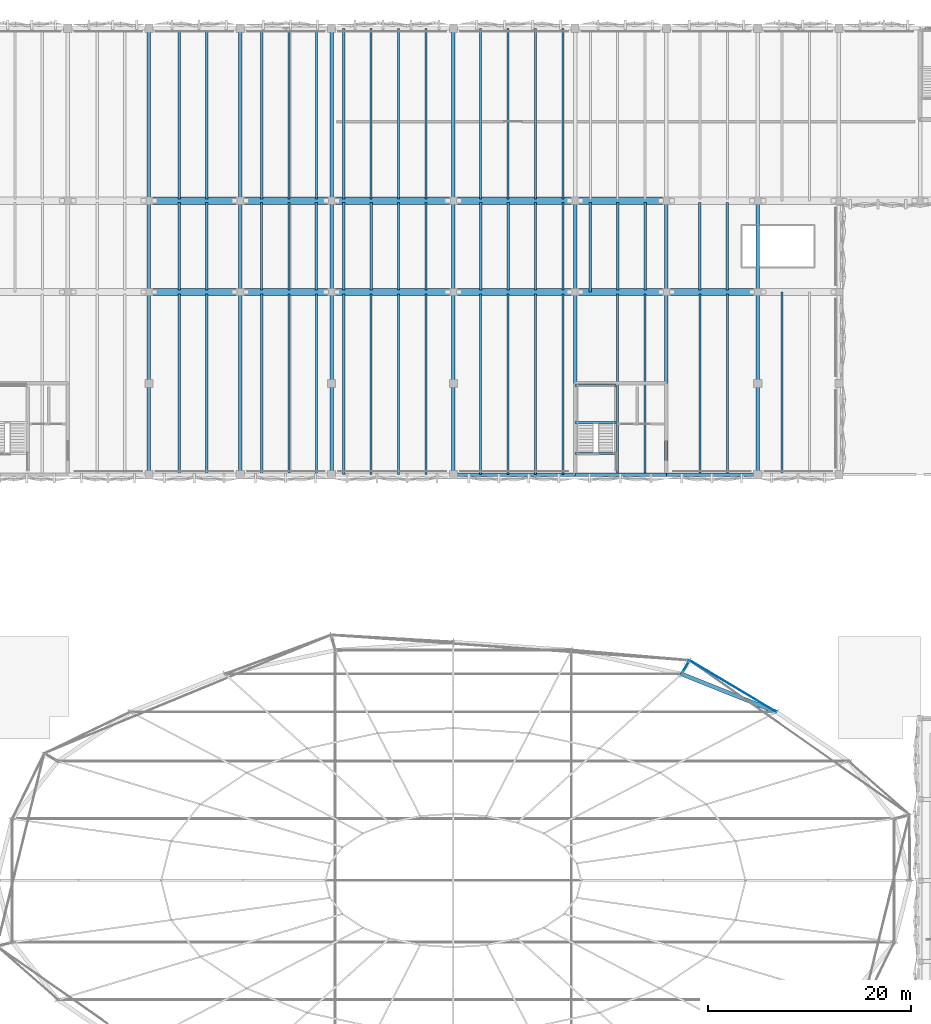
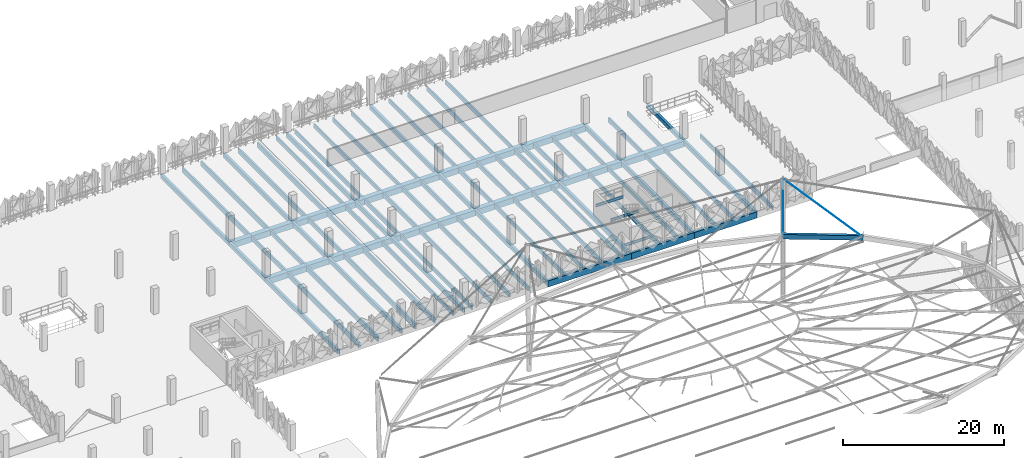
# One storey, part 17 of 96: 85 beams, 2 members.
"""IFC4 building model written with IfcOpenShell, lengths in metres."""

from ifc_helpers import new_model, si_unit, derived_unit, direction, frame, origin, origin_2d, place, context, subcontext, project, spatial, rectangle, hollow_rectangle, circle, i_section, extrude, material, material_profile, profile_set, type_object, element, save


model = new_model("IFC4")

# Units and contexts
model_context = context("Model", 3, precision=1e-05, world=origin(), true_north=direction((0.0, 1.0)))
body_context = subcontext(model_context, "Body", "Model", "MODEL_VIEW")
ifc_project = project(units=[si_unit("LENGTHUNIT", "METRE"), si_unit("AREAUNIT", "SQUARE_METRE"), si_unit("VOLUMEUNIT", "CUBIC_METRE"), si_unit("PLANEANGLEUNIT", "RADIAN"), si_unit("MASSUNIT", "GRAM", prefix="KILO"), si_unit("THERMODYNAMICTEMPERATUREUNIT", "KELVIN"), derived_unit("THERMALTRANSMITTANCEUNIT", [(si_unit("POWERUNIT", "WATT"), 1), (si_unit("AREAUNIT", "SQUARE_METRE"), -1), (si_unit("THERMODYNAMICTEMPERATUREUNIT", "KELVIN"), -1)])], contexts=[model_context])

# Site, building, storey
site_placement = place(None, origin())
site = spatial("IfcSite", under=ifc_project, at=site_placement, CompositionType="ELEMENT")
building_placement = place(site_placement, origin())
building = spatial("IfcBuilding", under=site, at=building_placement, Name="Haiyu Intermodal Mobility Hub", CompositionType="ELEMENT")
storey_placement = place(building_placement, frame((0.0, 0.0, 9.5)))
storey = spatial("IfcBuildingStorey", under=building, at=storey_placement, Name="L02", CompositionType="ELEMENT", Elevation=9.5)

# Beams
ifc_material_1 = material(Name="Concrete C40", Category="concrete")
ifc_material_profile_1 = material_profile(ifc_material_1, rectangle(XDim=0.35009765625, YDim=0.64990234375, at=origin_2d()), Name="RCB350x650")
ifc_profile_set_1 = profile_set([ifc_material_profile_1], Name="Concrete C40")
beam_type_1 = type_object("IfcBeamType", Name="BM-CB04", PredefinedType="BEAM", material=ifc_profile_set_1)
beam_1_placement = place(storey_placement, frame((78.0, 104.0, -0.60009765625), z_axis=(0.0, 1.0, 0.0), x_axis=(-1.0, 0.0, 0.0)))
element("IfcBeam", 1, at=beam_1_placement, inside=storey, type_object=beam_type_1, Name="BM-V4E-L02-018", PredefinedType="BEAM", context=body_context, shape_type="SweptSolid", body=[
    extrude(rectangle(XDim=0.35009765625, YDim=0.64990234375, at=origin_2d()), origin(), (0.0, 0.0, 1.0), 18.0),
])
beam_2_placement = place(storey_placement, frame((78.0, 122.0, -0.60009765625), z_axis=(0.0, 1.0, 0.0), x_axis=(-1.0, 0.0, 0.0)))
element("IfcBeam", 2, at=beam_2_placement, inside=storey, type_object=beam_type_1, Name="BM-V4E-L02-019", PredefinedType="BEAM", context=body_context, shape_type="SweptSolid", body=[
    extrude(rectangle(XDim=0.35009765625, YDim=0.64990234375, at=origin_2d()), origin(), (0.0, 0.0, 1.0), 9.0),
])
beam_3_placement = place(storey_placement, frame((78.0, 131.0, -0.60009765625), z_axis=(0.0, 1.0, 0.0), x_axis=(-1.0, 0.0, 0.0)))
element("IfcBeam", 3, at=beam_3_placement, inside=storey, type_object=beam_type_1, Name="BM-V4E-L02-020", PredefinedType="BEAM", context=body_context, shape_type="SweptSolid", body=[
    extrude(rectangle(XDim=0.35009765625, YDim=0.64990234375, at=origin_2d()), origin(), (0.0, 0.0, 1.0), 17.0),
])
beam_4_placement = place(storey_placement, frame((87.0, 104.0, -0.60009765625), z_axis=(0.0, 1.0, 0.0), x_axis=(-1.0, 0.0, 0.0)))
element("IfcBeam", 4, at=beam_4_placement, inside=storey, type_object=beam_type_1, Name="BM-V4E-L02-021", PredefinedType="BEAM", context=body_context, shape_type="SweptSolid", body=[
    extrude(rectangle(XDim=0.35009765625, YDim=0.64990234375, at=origin_2d()), origin(), (0.0, 0.0, 1.0), 18.0),
])
beam_5_placement = place(storey_placement, frame((87.0, 122.0, -0.60009765625), z_axis=(0.0, 1.0, 0.0), x_axis=(-1.0, 0.0, 0.0)))
element("IfcBeam", 5, at=beam_5_placement, inside=storey, type_object=beam_type_1, Name="BM-V4E-L02-022", PredefinedType="BEAM", context=body_context, shape_type="SweptSolid", body=[
    extrude(rectangle(XDim=0.35009765625, YDim=0.64990234375, at=origin_2d()), origin(), (0.0, 0.0, 1.0), 9.0),
])
beam_6_placement = place(storey_placement, frame((87.0, 131.0, -0.60009765625), z_axis=(0.0, 1.0, 0.0), x_axis=(-1.0, 0.0, 0.0)))
element("IfcBeam", 6, at=beam_6_placement, inside=storey, type_object=beam_type_1, Name="BM-V4E-L02-023", PredefinedType="BEAM", context=body_context, shape_type="SweptSolid", body=[
    extrude(rectangle(XDim=0.35009765625, YDim=0.64990234375, at=origin_2d()), origin(), (0.0, 0.0, 1.0), 17.0),
])
beam_7_placement = place(storey_placement, frame((96.0, 104.0, -0.60009765625), z_axis=(0.0, 1.0, 0.0), x_axis=(-1.0, 0.0, 0.0)))
element("IfcBeam", 7, at=beam_7_placement, inside=storey, type_object=beam_type_1, Name="BM-V4E-L02-024", PredefinedType="BEAM", context=body_context, shape_type="SweptSolid", body=[
    extrude(rectangle(XDim=0.35009765625, YDim=0.64990234375, at=origin_2d()), origin(), (0.0, 0.0, 1.0), 18.0),
])
beam_8_placement = place(storey_placement, frame((96.0, 122.0, -0.60009765625), z_axis=(0.0, 1.0, 0.0), x_axis=(-1.0, 0.0, 0.0)))
element("IfcBeam", 8, at=beam_8_placement, inside=storey, type_object=beam_type_1, Name="BM-V4E-L02-025", PredefinedType="BEAM", context=body_context, shape_type="SweptSolid", body=[
    extrude(rectangle(XDim=0.35009765625, YDim=0.64990234375, at=origin_2d()), origin(), (0.0, 0.0, 1.0), 9.0),
])
beam_9_placement = place(storey_placement, frame((96.0, 131.0, -0.60009765625), z_axis=(0.0, 1.0, 0.0), x_axis=(-1.0, 0.0, 0.0)))
element("IfcBeam", 9, at=beam_9_placement, inside=storey, type_object=beam_type_1, Name="BM-V4E-L02-026", PredefinedType="BEAM", context=body_context, shape_type="SweptSolid", body=[
    extrude(rectangle(XDim=0.35009765625, YDim=0.64990234375, at=origin_2d()), origin(), (0.0, 0.0, 1.0), 17.0),
])
beam_10_placement = place(storey_placement, frame((108.0, 104.0, -0.60009765625), z_axis=(0.0, 1.0, 0.0), x_axis=(-1.0, 0.0, 0.0)))
element("IfcBeam", 10, at=beam_10_placement, inside=storey, type_object=beam_type_1, Name="BM-V4E-L02-027", PredefinedType="BEAM", context=body_context, shape_type="SweptSolid", body=[
    extrude(rectangle(XDim=0.35009765625, YDim=0.64990234375, at=origin_2d()), origin(), (0.0, 0.0, 1.0), 18.0),
])
beam_11_placement = place(storey_placement, frame((108.0, 122.0, -0.60009765625), z_axis=(0.0, 1.0, 0.0), x_axis=(-1.0, 0.0, 0.0)))
element("IfcBeam", 11, at=beam_11_placement, inside=storey, type_object=beam_type_1, Name="BM-V4E-L02-028", PredefinedType="BEAM", context=body_context, shape_type="SweptSolid", body=[
    extrude(rectangle(XDim=0.35009765625, YDim=0.64990234375, at=origin_2d()), origin(), (0.0, 0.0, 1.0), 9.0),
])
beam_12_placement = place(storey_placement, frame((108.0, 131.0, -0.60009765625), z_axis=(0.0, 1.0, 0.0), x_axis=(-1.0, 0.0, 0.0)))
element("IfcBeam", 12, at=beam_12_placement, inside=storey, type_object=beam_type_1, Name="BM-V4E-L02-029", PredefinedType="BEAM", context=body_context, shape_type="SweptSolid", body=[
    extrude(rectangle(XDim=0.35009765625, YDim=0.64990234375, at=origin_2d()), origin(), (0.0, 0.0, 1.0), 17.0),
])
beam_13_placement = place(storey_placement, frame((120.0, 104.0, -0.60009765625), z_axis=(0.0, 1.0, 0.0), x_axis=(-1.0, 0.0, 0.0)))
element("IfcBeam", 13, at=beam_13_placement, inside=storey, type_object=beam_type_1, Name="BM-V4E-L02-030", PredefinedType="BEAM", context=body_context, shape_type="SweptSolid", body=[
    extrude(rectangle(XDim=0.35009765625, YDim=0.64990234375, at=origin_2d()), origin(), (0.0, 0.0, 1.0), 18.0),
])
beam_14_placement = place(storey_placement, frame((120.0, 122.0, -0.60009765625), z_axis=(0.0, 1.0, 0.0), x_axis=(-1.0, 0.0, 0.0)))
element("IfcBeam", 14, at=beam_14_placement, inside=storey, type_object=beam_type_1, Name="BM-V4E-L02-031", PredefinedType="BEAM", context=body_context, shape_type="SweptSolid", body=[
    extrude(rectangle(XDim=0.35009765625, YDim=0.64990234375, at=origin_2d()), origin(), (0.0, 0.0, 1.0), 9.0),
])
beam_15_placement = place(storey_placement, frame((129.0, 104.0, -0.60009765625), z_axis=(0.0, 1.0, 0.0), x_axis=(-1.0, 0.0, 0.0)))
element("IfcBeam", 15, at=beam_15_placement, inside=storey, type_object=beam_type_1, Name="BM-V4E-L02-033", PredefinedType="BEAM", context=body_context, shape_type="SweptSolid", body=[
    extrude(rectangle(XDim=0.35009765625, YDim=0.64990234375, at=origin_2d()), origin(), (0.0, 0.0, 1.0), 18.0),
])
beam_16_placement = place(storey_placement, frame((129.0, 122.0, -0.60009765625), z_axis=(0.0, 1.0, 0.0), x_axis=(-1.0, 0.0, 0.0)))
element("IfcBeam", 16, at=beam_16_placement, inside=storey, type_object=beam_type_1, Name="BM-V4E-L02-034", PredefinedType="BEAM", context=body_context, shape_type="SweptSolid", body=[
    extrude(rectangle(XDim=0.35009765625, YDim=0.64990234375, at=origin_2d()), origin(), (0.0, 0.0, 1.0), 9.0),
])
beam_17_placement = place(storey_placement, frame((138.0, 104.0, -0.60009765625), z_axis=(0.0, 1.0, 0.0), x_axis=(-1.0, 0.0, 0.0)))
element("IfcBeam", 17, at=beam_17_placement, inside=storey, type_object=beam_type_1, Name="BM-V4E-L02-036", PredefinedType="BEAM", context=body_context, shape_type="SweptSolid", body=[
    extrude(rectangle(XDim=0.35009765625, YDim=0.64990234375, at=origin_2d()), origin(), (0.0, 0.0, 1.0), 18.0),
])
beam_18_placement = place(storey_placement, frame((138.0, 122.0, -0.60009765625), z_axis=(0.0, 1.0, 0.0), x_axis=(-1.0, 0.0, 0.0)))
element("IfcBeam", 18, at=beam_18_placement, inside=storey, type_object=beam_type_1, Name="BM-V4E-L02-037", PredefinedType="BEAM", context=body_context, shape_type="SweptSolid", body=[
    extrude(rectangle(XDim=0.35009765625, YDim=0.64990234375, at=origin_2d()), origin(), (0.0, 0.0, 1.0), 9.0),
])
ifc_material_2 = material(Name="Precast concrete C50", Category="concrete")
ifc_material_profile_2 = material_profile(ifc_material_2, rectangle(XDim=0.239990234375, YDim=0.780029296875, at=origin_2d()), Name="PC240x780")
ifc_profile_set_2 = profile_set([ifc_material_profile_2], Name="Precast concrete C50")
beam_type_2 = type_object("IfcBeamType", Name="BM-DT01", PredefinedType="JOIST", material=ifc_profile_set_2)
beam_19_placement = place(storey_placement, frame((81.0, 104.0, -0.6650390625), z_axis=(0.0, 1.0, 0.0), x_axis=(-1.0, 0.0, 0.0)))
element("IfcBeam", 19, at=beam_19_placement, inside=storey, type_object=beam_type_2, Name="BM-DT-L02-029", PredefinedType="JOIST", context=body_context, shape_type="SweptSolid", body=[
    extrude(rectangle(XDim=0.239990234375, YDim=0.780029296875, at=origin_2d()), origin(), (0.0, 0.0, 1.0), 17.804931640625),
])
beam_20_placement = place(storey_placement, frame((81.0, 131.195068359375, -0.6650390625), z_axis=(0.0, 1.0, 0.0), x_axis=(-1.0, 0.0, 0.0)))
element("IfcBeam", 20, at=beam_20_placement, inside=storey, type_object=beam_type_2, Name="BM-DT-L02-031", PredefinedType="JOIST", context=body_context, shape_type="SweptSolid", body=[
    extrude(rectangle(XDim=0.239990234375, YDim=0.780029296875, at=origin_2d()), origin(), (0.0, 0.0, 1.0), 16.804931640625),
])
beam_21_placement = place(storey_placement, frame((83.699951171875, 104.0, -0.6650390625), z_axis=(0.0, 1.0, 0.0), x_axis=(-1.0, 0.0, 0.0)))
element("IfcBeam", 21, at=beam_21_placement, inside=storey, type_object=beam_type_2, Name="BM-DT-L02-032", PredefinedType="JOIST", context=body_context, shape_type="SweptSolid", body=[
    extrude(rectangle(XDim=0.239990234375, YDim=0.780029296875, at=origin_2d()), origin(), (0.0, 0.0, 1.0), 17.804931640625),
])
beam_22_placement = place(storey_placement, frame((83.699951171875, 131.195068359375, -0.6650390625), z_axis=(0.0, 1.0, 0.0), x_axis=(-1.0, 0.0, 0.0)))
element("IfcBeam", 22, at=beam_22_placement, inside=storey, type_object=beam_type_2, Name="BM-DT-L02-034", PredefinedType="JOIST", context=body_context, shape_type="SweptSolid", body=[
    extrude(rectangle(XDim=0.239990234375, YDim=0.780029296875, at=origin_2d()), origin(), (0.0, 0.0, 1.0), 16.804931640625),
])
beam_23_placement = place(storey_placement, frame((89.10009765625, 104.0, -0.6650390625), z_axis=(0.0, 1.0, 0.0), x_axis=(-1.0, 0.0, 0.0)))
element("IfcBeam", 23, at=beam_23_placement, inside=storey, type_object=beam_type_2, Name="BM-DT-L02-035", PredefinedType="JOIST", context=body_context, shape_type="SweptSolid", body=[
    extrude(rectangle(XDim=0.239990234375, YDim=0.780029296875, at=origin_2d()), origin(), (0.0, 0.0, 1.0), 17.804931640625),
])
beam_24_placement = place(storey_placement, frame((89.10009765625, 131.195068359375, -0.6650390625), z_axis=(0.0, 1.0, 0.0), x_axis=(-1.0, 0.0, 0.0)))
element("IfcBeam", 24, at=beam_24_placement, inside=storey, type_object=beam_type_2, Name="BM-DT-L02-037", PredefinedType="JOIST", context=body_context, shape_type="SweptSolid", body=[
    extrude(rectangle(XDim=0.239990234375, YDim=0.780029296875, at=origin_2d()), origin(), (0.0, 0.0, 1.0), 16.804931640625),
])
beam_25_placement = place(storey_placement, frame((91.800048828125, 104.0, -0.6650390625), z_axis=(0.0, 1.0, 0.0), x_axis=(-1.0, 0.0, 0.0)))
element("IfcBeam", 25, at=beam_25_placement, inside=storey, type_object=beam_type_2, Name="BM-DT-L02-038", PredefinedType="JOIST", context=body_context, shape_type="SweptSolid", body=[
    extrude(rectangle(XDim=0.239990234375, YDim=0.780029296875, at=origin_2d()), origin(), (0.0, 0.0, 1.0), 17.804931640625),
])
beam_26_placement = place(storey_placement, frame((91.800048828125, 131.195068359375, -0.6650390625), z_axis=(0.0, 1.0, 0.0), x_axis=(-1.0, 0.0, 0.0)))
element("IfcBeam", 26, at=beam_26_placement, inside=storey, type_object=beam_type_2, Name="BM-DT-L02-040", PredefinedType="JOIST", context=body_context, shape_type="SweptSolid", body=[
    extrude(rectangle(XDim=0.239990234375, YDim=0.780029296875, at=origin_2d()), origin(), (0.0, 0.0, 1.0), 16.804931640625),
])
ifc_material_profile_3 = material_profile(ifc_material_2, rectangle(XDim=0.199951171875, YDim=0.659912109375, at=origin_2d()), Name="PC200x660")
ifc_profile_set_3 = profile_set([ifc_material_profile_3], Name="Precast concrete C50")
beam_type_3 = type_object("IfcBeamType", Name="BM-DT03", PredefinedType="JOIST", material=ifc_profile_set_3)
beam_27_placement = place(storey_placement, frame((94.5, 104.0, -0.60498046875), z_axis=(0.0, 1.0, 0.0), x_axis=(-1.0, 0.0, 0.0)))
element("IfcBeam", 27, at=beam_27_placement, inside=storey, type_object=beam_type_3, Name="BM-DT-L02-041", PredefinedType="JOIST", context=body_context, shape_type="SweptSolid", body=[
    extrude(rectangle(XDim=0.199951171875, YDim=0.659912109375, at=origin_2d()), origin(), (0.0, 0.0, 1.0), 17.804931640625),
])
beam_28_placement = place(storey_placement, frame((94.5, 131.195068359375, -0.60498046875), z_axis=(0.0, 1.0, 0.0), x_axis=(-1.0, 0.0, 0.0)))
element("IfcBeam", 28, at=beam_28_placement, inside=storey, type_object=beam_type_3, Name="BM-DT-L02-043", PredefinedType="JOIST", context=body_context, shape_type="SweptSolid", body=[
    extrude(rectangle(XDim=0.199951171875, YDim=0.659912109375, at=origin_2d()), origin(), (0.0, 0.0, 1.0), 16.804931640625),
])
beam_29_placement = place(storey_placement, frame((97.199951171875, 104.0, -0.60498046875), z_axis=(0.0, 1.0, 0.0), x_axis=(-1.0, 0.0, 0.0)))
element("IfcBeam", 29, at=beam_29_placement, inside=storey, type_object=beam_type_3, Name="BM-DT-L02-044", PredefinedType="JOIST", context=body_context, shape_type="SweptSolid", body=[
    extrude(rectangle(XDim=0.199951171875, YDim=0.659912109375, at=origin_2d()), origin(), (0.0, 0.0, 1.0), 17.804931640625),
])
beam_30_placement = place(storey_placement, frame((97.199951171875, 131.195068359375, -0.60498046875), z_axis=(0.0, 1.0, 0.0), x_axis=(-1.0, 0.0, 0.0)))
element("IfcBeam", 30, at=beam_30_placement, inside=storey, type_object=beam_type_3, Name="BM-DT-L02-046", PredefinedType="JOIST", context=body_context, shape_type="SweptSolid", body=[
    extrude(rectangle(XDim=0.199951171875, YDim=0.659912109375, at=origin_2d()), origin(), (0.0, 0.0, 1.0), 16.804931640625),
])
beam_31_placement = place(storey_placement, frame((99.89990234375, 104.0, -0.60498046875), z_axis=(0.0, 1.0, 0.0), x_axis=(-1.0, 0.0, 0.0)))
element("IfcBeam", 31, at=beam_31_placement, inside=storey, type_object=beam_type_3, Name="BM-DT-L02-047", PredefinedType="JOIST", context=body_context, shape_type="SweptSolid", body=[
    extrude(rectangle(XDim=0.199951171875, YDim=0.659912109375, at=origin_2d()), origin(), (0.0, 0.0, 1.0), 17.804931640625),
])
beam_32_placement = place(storey_placement, frame((99.89990234375, 131.195068359375, -0.60498046875), z_axis=(0.0, 1.0, 0.0), x_axis=(-1.0, 0.0, 0.0)))
element("IfcBeam", 32, at=beam_32_placement, inside=storey, type_object=beam_type_3, Name="BM-DT-L02-049", PredefinedType="JOIST", context=body_context, shape_type="SweptSolid", body=[
    extrude(rectangle(XDim=0.199951171875, YDim=0.659912109375, at=origin_2d()), origin(), (0.0, 0.0, 1.0), 16.804931640625),
])
beam_33_placement = place(storey_placement, frame((102.60009765625, 104.0, -0.60498046875), z_axis=(0.0, 1.0, 0.0), x_axis=(-1.0, 0.0, 0.0)))
element("IfcBeam", 33, at=beam_33_placement, inside=storey, type_object=beam_type_3, Name="BM-DT-L02-050", PredefinedType="JOIST", context=body_context, shape_type="SweptSolid", body=[
    extrude(rectangle(XDim=0.199951171875, YDim=0.659912109375, at=origin_2d()), origin(), (0.0, 0.0, 1.0), 17.804931640625),
])
beam_34_placement = place(storey_placement, frame((102.60009765625, 131.195068359375, -0.60498046875), z_axis=(0.0, 1.0, 0.0), x_axis=(-1.0, 0.0, 0.0)))
element("IfcBeam", 34, at=beam_34_placement, inside=storey, type_object=beam_type_3, Name="BM-DT-L02-052", PredefinedType="JOIST", context=body_context, shape_type="SweptSolid", body=[
    extrude(rectangle(XDim=0.199951171875, YDim=0.659912109375, at=origin_2d()), origin(), (0.0, 0.0, 1.0), 16.804931640625),
])
beam_35_placement = place(storey_placement, frame((105.300048828125, 104.0, -0.60498046875), z_axis=(0.0, 1.0, 0.0), x_axis=(-1.0, 0.0, 0.0)))
element("IfcBeam", 35, at=beam_35_placement, inside=storey, type_object=beam_type_3, Name="BM-DT-L02-053", PredefinedType="JOIST", context=body_context, shape_type="SweptSolid", body=[
    extrude(rectangle(XDim=0.199951171875, YDim=0.659912109375, at=origin_2d()), origin(), (0.0, 0.0, 1.0), 17.804931640625),
])
beam_36_placement = place(storey_placement, frame((105.300048828125, 131.195068359375, -0.60498046875), z_axis=(0.0, 1.0, 0.0), x_axis=(-1.0, 0.0, 0.0)))
element("IfcBeam", 36, at=beam_36_placement, inside=storey, type_object=beam_type_3, Name="BM-DT-L02-055", PredefinedType="JOIST", context=body_context, shape_type="SweptSolid", body=[
    extrude(rectangle(XDim=0.199951171875, YDim=0.659912109375, at=origin_2d()), origin(), (0.0, 0.0, 1.0), 16.804931640625),
])
beam_37_placement = place(storey_placement, frame((110.699951171875, 104.0, -0.60498046875), z_axis=(0.0, 1.0, 0.0), x_axis=(-1.0, 0.0, 0.0)))
element("IfcBeam", 37, at=beam_37_placement, inside=storey, type_object=beam_type_3, Name="BM-DT-L02-056", PredefinedType="JOIST", context=body_context, shape_type="SweptSolid", body=[
    extrude(rectangle(XDim=0.199951171875, YDim=0.659912109375, at=origin_2d()), origin(), (0.0, 0.0, 1.0), 17.804931640625),
])
beam_38_placement = place(storey_placement, frame((110.699951171875, 131.195068359375, -0.60498046875), z_axis=(0.0, 1.0, 0.0), x_axis=(-1.0, 0.0, 0.0)))
element("IfcBeam", 38, at=beam_38_placement, inside=storey, type_object=beam_type_3, Name="BM-DT-L02-058", PredefinedType="JOIST", context=body_context, shape_type="SweptSolid", body=[
    extrude(rectangle(XDim=0.199951171875, YDim=0.659912109375, at=origin_2d()), origin(), (0.0, 0.0, 1.0), 16.804931640625),
])
beam_39_placement = place(storey_placement, frame((113.39990234375, 104.0, -0.60498046875), z_axis=(0.0, 1.0, 0.0), x_axis=(-1.0, 0.0, 0.0)))
element("IfcBeam", 39, at=beam_39_placement, inside=storey, type_object=beam_type_3, Name="BM-DT-L02-059", PredefinedType="JOIST", context=body_context, shape_type="SweptSolid", body=[
    extrude(rectangle(XDim=0.199951171875, YDim=0.659912109375, at=origin_2d()), origin(), (0.0, 0.0, 1.0), 17.804931640625),
])
beam_40_placement = place(storey_placement, frame((113.39990234375, 131.195068359375, -0.60498046875), z_axis=(0.0, 1.0, 0.0), x_axis=(-1.0, 0.0, 0.0)))
element("IfcBeam", 40, at=beam_40_placement, inside=storey, type_object=beam_type_3, Name="BM-DT-L02-061", PredefinedType="JOIST", context=body_context, shape_type="SweptSolid", body=[
    extrude(rectangle(XDim=0.199951171875, YDim=0.659912109375, at=origin_2d()), origin(), (0.0, 0.0, 1.0), 16.804931640625),
])
beam_41_placement = place(storey_placement, frame((116.10009765625, 104.0, -0.60498046875), z_axis=(0.0, 1.0, 0.0), x_axis=(-1.0, 0.0, 0.0)))
element("IfcBeam", 41, at=beam_41_placement, inside=storey, type_object=beam_type_3, Name="BM-DT-L02-062", PredefinedType="JOIST", context=body_context, shape_type="SweptSolid", body=[
    extrude(rectangle(XDim=0.199951171875, YDim=0.659912109375, at=origin_2d()), origin(), (0.0, 0.0, 1.0), 17.804931640625),
])
beam_42_placement = place(storey_placement, frame((116.10009765625, 131.195068359375, -0.60498046875), z_axis=(0.0, 1.0, 0.0), x_axis=(-1.0, 0.0, 0.0)))
element("IfcBeam", 42, at=beam_42_placement, inside=storey, type_object=beam_type_3, Name="BM-DT-L02-064", PredefinedType="JOIST", context=body_context, shape_type="SweptSolid", body=[
    extrude(rectangle(XDim=0.199951171875, YDim=0.659912109375, at=origin_2d()), origin(), (0.0, 0.0, 1.0), 16.804931640625),
])
beam_43_placement = place(storey_placement, frame((118.800048828125, 104.0, -0.60498046875), z_axis=(0.0, 1.0, 0.0), x_axis=(-1.0, 0.0, 0.0)))
element("IfcBeam", 43, at=beam_43_placement, inside=storey, type_object=beam_type_3, Name="BM-DT-L02-065", PredefinedType="JOIST", context=body_context, shape_type="SweptSolid", body=[
    extrude(rectangle(XDim=0.199951171875, YDim=0.659912109375, at=origin_2d()), origin(), (0.0, 0.0, 1.0), 17.804931640625),
])
beam_44_placement = place(storey_placement, frame((118.800048828125, 131.195068359375, -0.60498046875), z_axis=(0.0, 1.0, 0.0), x_axis=(-1.0, 0.0, 0.0)))
element("IfcBeam", 44, at=beam_44_placement, inside=storey, type_object=beam_type_3, Name="BM-DT-L02-067", PredefinedType="JOIST", context=body_context, shape_type="SweptSolid", body=[
    extrude(rectangle(XDim=0.199951171875, YDim=0.659912109375, at=origin_2d()), origin(), (0.0, 0.0, 1.0), 16.804931640625),
])
for number, where, z_axis, x_axis, name in (
    (45, (124.199951171875, 104.0, -0.60498046875), (0.0, 1.0, 0.0), (-1.0, 0.0, 0.0), "BM-DT-L02-071"),
    (46, (126.89990234375, 104.0, -0.60498046875), (0.0, 1.0, 0.0), (-1.0, 0.0, 0.0), "BM-DT-L02-074"),
    (47, (132.300048828125, 104.0, -0.60498046875), (0.0, 1.0, 0.0), (-1.0, 0.0, 0.0), "BM-DT-L02-077"),
    (48, (135.0, 104.0, -0.60498046875), (0.0, 1.0, 0.0), (-1.0, 0.0, 0.0), "BM-DT-L02-080"),
):
    element("IfcBeam", number, at=place(storey_placement, frame(where, z_axis=z_axis, x_axis=x_axis)), inside=storey, type_object=beam_type_3, Name=name, PredefinedType="JOIST", context=body_context, shape_type="SweptSolid", body=[
        extrude(rectangle(XDim=0.199951171875, YDim=0.659912109375, at=origin_2d()), origin(), (0.0, 0.0, 1.0), 17.804931640625),
    ])
beam_45_placement = place(storey_placement, frame((140.39990234375, 104.0, -0.60498046875), z_axis=(0.0, 1.0, 0.0), x_axis=(-1.0, 0.0, 0.0)))
element("IfcBeam", 49, at=beam_45_placement, inside=storey, type_object=beam_type_3, Name="BM-DT-L02-083", PredefinedType="JOIST", context=body_context, shape_type="SweptSolid", body=[
    extrude(rectangle(XDim=0.199951171875, YDim=0.659912109375, at=origin_2d()), origin(), (0.0, 0.0, 1.0), 18.0),
])
ifc_material_profile_4 = material_profile(ifc_material_2, rectangle(XDim=0.22998046875, YDim=0.68994140625, at=origin_2d()), Name="B230x690")
ifc_profile_set_4 = profile_set([ifc_material_profile_4], Name="Precast concrete C50")
beam_type_4 = type_object("IfcBeamType", Name="BM-DT06", PredefinedType="JOIST", material=ifc_profile_set_4)
for number, where, z_axis, x_axis, name in (
    (50, (81.0, 122.195068359375, -0.6201171875), (0.0, 1.0, 0.0), (-1.0, 0.0, 0.0), "BM-DT-L02-030"),
    (51, (83.699951171875, 122.195068359375, -0.6201171875), (0.0, 1.0, 0.0), (-1.0, 0.0, 0.0), "BM-DT-L02-033"),
    (52, (89.10009765625, 122.195068359375, -0.6201171875), (0.0, 1.0, 0.0), (-1.0, 0.0, 0.0), "BM-DT-L02-036"),
    (53, (91.800048828125, 122.195068359375, -0.6201171875), (0.0, 1.0, 0.0), (-1.0, 0.0, 0.0), "BM-DT-L02-039"),
    (54, (94.5, 122.195068359375, -0.6201171875), (0.0, 1.0, 0.0), (-1.0, 0.0, 0.0), "BM-DT-L02-042"),
    (55, (97.199951171875, 122.195068359375, -0.6201171875), (0.0, 1.0, 0.0), (-1.0, 0.0, 0.0), "BM-DT-L02-045"),
    (56, (99.89990234375, 122.195068359375, -0.6201171875), (0.0, 1.0, 0.0), (-1.0, 0.0, 0.0), "BM-DT-L02-048"),
    (57, (102.60009765625, 122.195068359375, -0.6201171875), (0.0, 1.0, 0.0), (-1.0, 0.0, 0.0), "BM-DT-L02-051"),
    (58, (105.300048828125, 122.195068359375, -0.6201171875), (0.0, 1.0, 0.0), (-1.0, 0.0, 0.0), "BM-DT-L02-054"),
    (59, (110.699951171875, 122.195068359375, -0.6201171875), (0.0, 1.0, 0.0), (-1.0, 0.0, 0.0), "BM-DT-L02-057"),
    (60, (113.39990234375, 122.195068359375, -0.6201171875), (0.0, 1.0, 0.0), (-1.0, 0.0, 0.0), "BM-DT-L02-060"),
    (61, (116.10009765625, 122.195068359375, -0.6201171875), (0.0, 1.0, 0.0), (-1.0, 0.0, 0.0), "BM-DT-L02-063"),
    (62, (118.800048828125, 122.195068359375, -0.6201171875), (0.0, 1.0, 0.0), (-1.0, 0.0, 0.0), "BM-DT-L02-066"),
):
    element("IfcBeam", number, at=place(storey_placement, frame(where, z_axis=z_axis, x_axis=x_axis)), inside=storey, type_object=beam_type_4, Name=name, PredefinedType="JOIST", context=body_context, shape_type="SweptSolid", body=[
        extrude(rectangle(XDim=0.22998046875, YDim=0.68994140625, at=origin_2d()), origin(), (0.0, 0.0, 1.0), 8.60986328125),
    ])
beam_46_placement = place(storey_placement, frame((121.5, 122.0, -0.6201171875), z_axis=(0.0, 1.0, 0.0), x_axis=(-1.0, 0.0, 0.0)))
element("IfcBeam", 63, at=beam_46_placement, inside=storey, type_object=beam_type_4, Name="BM-DT-L02-069", PredefinedType="JOIST", context=body_context, shape_type="SweptSolid", body=[
    extrude(rectangle(XDim=0.22998046875, YDim=0.68994140625, at=origin_2d()), origin(), (0.0, 0.0, 1.0), 8.804931640625),
])
for number, where, z_axis, x_axis, name in (
    (64, (124.199951171875, 122.195068359375, -0.6201171875), (0.0, 1.0, 0.0), (-1.0, 0.0, 0.0), "BM-DT-L02-072"),
    (65, (126.89990234375, 122.195068359375, -0.6201171875), (0.0, 1.0, 0.0), (-1.0, 0.0, 0.0), "BM-DT-L02-075"),
    (66, (132.300048828125, 122.195068359375, -0.6201171875), (0.0, 1.0, 0.0), (-1.0, 0.0, 0.0), "BM-DT-L02-078"),
    (67, (135.0, 122.195068359375, -0.6201171875), (0.0, 1.0, 0.0), (-1.0, 0.0, 0.0), "BM-DT-L02-081"),
):
    element("IfcBeam", number, at=place(storey_placement, frame(where, z_axis=z_axis, x_axis=x_axis)), inside=storey, type_object=beam_type_4, Name=name, PredefinedType="JOIST", context=body_context, shape_type="SweptSolid", body=[
        extrude(rectangle(XDim=0.22998046875, YDim=0.68994140625, at=origin_2d()), origin(), (0.0, 0.0, 1.0), 8.60986328125),
    ])
ifc_material_profile_5 = material_profile(ifc_material_2, rectangle(XDim=0.719970703125, YDim=0.8798828125, at=origin_2d()), Name="B720x880")
ifc_profile_set_5 = profile_set([ifc_material_profile_5], Name="Precast concrete C50")
beam_type_5 = type_object("IfcBeamType", Name="BM-IT04", PredefinedType="T_BEAM", material=ifc_profile_set_5)
for number, where, z_axis, x_axis, name in (
    (68, (78.0, 122.0, -0.715087890625), (1.0, 0.0, 0.0), (0.0, 1.0, 0.0), "BM-V4G-L02-018"),
    (69, (87.0, 122.0, -0.715087890625), (1.0, 0.0, 0.0), (0.0, 1.0, 0.0), "BM-V4G-L02-019"),
):
    element("IfcBeam", number, at=place(storey_placement, frame(where, z_axis=z_axis, x_axis=x_axis)), inside=storey, type_object=beam_type_5, Name=name, PredefinedType="T_BEAM", context=body_context, shape_type="SweptSolid", body=[
        extrude(rectangle(XDim=0.719970703125, YDim=0.8798828125, at=origin_2d()), origin(), (0.0, 0.0, 1.0), 9.0),
    ])
for number, where, z_axis, x_axis, name in (
    (70, (96.0, 122.0, -0.715087890625), (1.0, 0.0, 0.0), (0.0, 1.0, 0.0), "BM-V4G-L02-020"),
    (71, (108.0, 122.0, -0.715087890625), (1.0, 0.0, 0.0), (0.0, 1.0, 0.0), "BM-V4G-L02-021"),
):
    element("IfcBeam", number, at=place(storey_placement, frame(where, z_axis=z_axis, x_axis=x_axis)), inside=storey, type_object=beam_type_5, Name=name, PredefinedType="T_BEAM", context=body_context, shape_type="SweptSolid", body=[
        extrude(rectangle(XDim=0.719970703125, YDim=0.8798828125, at=origin_2d()), origin(), (0.0, 0.0, 1.0), 12.0),
    ])
for number, where, z_axis, x_axis, name in (
    (72, (120.0, 122.0, -0.715087890625), (1.0, 0.0, 0.0), (0.0, 1.0, 0.0), "BM-V4G-L02-022"),
    (73, (129.0, 122.0, -0.715087890625), (1.0, 0.0, 0.0), (0.0, 1.0, 0.0), "BM-V4G-L02-023"),
    (74, (78.0, 131.0, -0.715087890625), (1.0, 0.0, 0.0), (0.0, 1.0, 0.0), "BM-V4G-L02-032"),
    (75, (87.0, 131.0, -0.715087890625), (1.0, 0.0, 0.0), (0.0, 1.0, 0.0), "BM-V4G-L02-033"),
):
    element("IfcBeam", number, at=place(storey_placement, frame(where, z_axis=z_axis, x_axis=x_axis)), inside=storey, type_object=beam_type_5, Name=name, PredefinedType="T_BEAM", context=body_context, shape_type="SweptSolid", body=[
        extrude(rectangle(XDim=0.719970703125, YDim=0.8798828125, at=origin_2d()), origin(), (0.0, 0.0, 1.0), 9.0),
    ])
for number, where, z_axis, x_axis, name in (
    (76, (96.0, 131.0, -0.715087890625), (1.0, 0.0, 0.0), (0.0, 1.0, 0.0), "BM-V4G-L02-034"),
    (77, (108.0, 131.0, -0.715087890625), (1.0, 0.0, 0.0), (0.0, 1.0, 0.0), "BM-V4G-L02-035"),
):
    element("IfcBeam", number, at=place(storey_placement, frame(where, z_axis=z_axis, x_axis=x_axis)), inside=storey, type_object=beam_type_5, Name=name, PredefinedType="T_BEAM", context=body_context, shape_type="SweptSolid", body=[
        extrude(rectangle(XDim=0.719970703125, YDim=0.8798828125, at=origin_2d()), origin(), (0.0, 0.0, 1.0), 12.0),
    ])
beam_47_placement = place(storey_placement, frame((120.0, 131.0, -0.715087890625), z_axis=(1.0, 0.0, 0.0), x_axis=(0.0, 1.0, 0.0)))
element("IfcBeam", 78, at=beam_47_placement, inside=storey, type_object=beam_type_5, Name="BM-V4G-L02-036", PredefinedType="T_BEAM", context=body_context, shape_type="SweptSolid", body=[
    extrude(rectangle(XDim=0.719970703125, YDim=0.8798828125, at=origin_2d()), origin(), (0.0, 0.0, 1.0), 9.0),
])
ifc_material_3 = material(Name="Steel Q355C", Category="steel")
ifc_material_profile_6 = material_profile(ifc_material_3, hollow_rectangle(XDim=0.39990234375, YDim=0.699951171875, WallThickness=0.02197265625, at=origin_2d()), Name="RHS700x400x22")
ifc_profile_set_6 = profile_set([ifc_material_profile_6], Name="Steel Q355C")
beam_type_6 = type_object("IfcBeamType", Name="BM-SB01", PredefinedType="BEAM", material=ifc_profile_set_6)
beam_48_placement = place(storey_placement, frame((139.820068359375, 80.616943359375, 9.300048828125), z_axis=(-0.921674779261, 0.369370070672, 0.118664873348), x_axis=(-0.371998477137, -0.928233339742, 0.0)))
element("IfcBeam", 79, at=beam_48_placement, inside=storey, type_object=beam_type_6, Name="Compression Ring Chord RB-04", PredefinedType="BEAM", context=body_context, shape_type="SweptSolid", body=[
    extrude(hollow_rectangle(XDim=0.39990234375, YDim=0.699951171875, WallThickness=0.02197265625, at=origin_2d()), origin(), (0.0, 0.0, 1.0), 10.112060546875),
])
ifc_material_profile_7 = material_profile(ifc_material_3, i_section(OverallWidth=0.199951171875, OverallDepth=0.39990234375, WebThickness=0.008056640625, FlangeThickness=0.012939453125, FilletRadius=0.01611328125, at=origin_2d()), Name="HN400x200x8x13")
ifc_profile_set_7 = profile_set([ifc_material_profile_7], Name="Steel Q355C")
beam_type_7 = type_object("IfcBeamType", Name="BM-SB08", PredefinedType="JOIST", material=ifc_profile_set_7)
for number, where, z_axis, x_axis, name in (
    (80, (120.0, 106.10009765625, -0.52490234375), (1.0, 0.0, 0.0), (0.0, 1.0, 0.0), "Stair Arrival Trimmer Beam C6-L01"),
    (81, (120.0, 109.1298828125, 1.52490234375), (1.0, 0.0, 0.0), (0.0, 1.0, 0.0), "Stair Half-Landing Front Beam C6-L02"),
    (82, (120.0, 112.780029296875, 1.52490234375), (1.0, 0.0, 0.0), (0.0, 1.0, 0.0), "Stair Half-Landing Rear Beam C6-L02"),
):
    element("IfcBeam", number, at=place(storey_placement, frame(where, z_axis=z_axis, x_axis=x_axis)), inside=storey, type_object=beam_type_7, Name=name, PredefinedType="JOIST", context=body_context, shape_type="SweptSolid", body=[
        extrude(i_section(OverallWidth=0.199951171875, OverallDepth=0.39990234375, WebThickness=0.008056640625, FlangeThickness=0.012939453125, FilletRadius=0.01611328125, at=origin_2d()), origin(), (0.0, 0.0, 1.0), 4.050048828125),
    ])
ifc_material_4 = material(Name="Precast concrete C40", Category="concrete")
ifc_material_profile_8 = material_profile(ifc_material_4, rectangle(XDim=0.35009765625, YDim=0.949951171875, at=origin_2d()), Name="PC350x950")
ifc_profile_set_8 = profile_set([ifc_material_profile_8], Name="Precast concrete C40")
beam_type_8 = type_object("IfcBeamType", Name="BM-SP01", PredefinedType="SPANDREL", material=ifc_profile_set_8)
beam_49_placement = place(storey_placement, frame((108.0, 104.0, -0.75), z_axis=(1.0, 0.0, 0.0), x_axis=(0.0, 1.0, 0.0)))
element("IfcBeam", 83, at=beam_49_placement, inside=storey, type_object=beam_type_8, Name="BM-V4G-L02-009", PredefinedType="SPANDREL", context=body_context, shape_type="SweptSolid", body=[
    extrude(rectangle(XDim=0.35009765625, YDim=0.949951171875, at=origin_2d()), origin(), (0.0, 0.0, 1.0), 12.0),
])
for number, where, z_axis, x_axis, name in (
    (84, (120.0, 104.0, -0.75), (1.0, 0.0, 0.0), (0.0, 1.0, 0.0), "BM-V4G-L02-010"),
    (85, (129.0, 104.0, -0.75), (1.0, 0.0, 0.0), (0.0, 1.0, 0.0), "BM-V4G-L02-011"),
):
    element("IfcBeam", number, at=place(storey_placement, frame(where, z_axis=z_axis, x_axis=x_axis)), inside=storey, type_object=beam_type_8, Name=name, PredefinedType="SPANDREL", context=body_context, shape_type="SweptSolid", body=[
        extrude(rectangle(XDim=0.35009765625, YDim=0.949951171875, at=origin_2d()), origin(), (0.0, 0.0, 1.0), 9.0),
    ])

# Members
ifc_material_5 = material(Name="Galvanized steel cable 1670 MPa", Category="steel")
ifc_material_profile_9 = material_profile(ifc_material_5, circle(Radius=0.032470703125, at=origin_2d()), Name="CABLE65")
ifc_profile_set_9 = profile_set([ifc_material_profile_9], Name="Galvanized steel cable 1670 MPa")
member_type = type_object("IfcMemberType", Name="MEM-TC03", PredefinedType="USERDEFINED", material=ifc_profile_set_9)
member_1_placement = place(storey_placement, frame((131.27490234375, 85.694091796875, 18.10009765625), z_axis=(0.643680766324, -0.382445793448, -0.662880295482), x_axis=(0.510795809936, 0.859702064992, 0.0)))
element("IfcMember", 86, at=member_1_placement, inside=storey, type_object=member_type, Name="Cable-Net Tendon CB-ST-020", ObjectType="TENSION CABLE", PredefinedType="USERDEFINED", context=body_context, shape_type="SweptSolid", body=[
    extrude(circle(Radius=0.032470703125, at=origin_2d()), origin(), (0.0, 0.0, 1.0), 13.275390625),
])
member_2_placement = place(storey_placement, frame((131.27490234375, 85.694091796875, 18.10009765625), z_axis=(-0.099903825053, -0.17302184194, -0.979838082517), x_axis=(0.866004557827, -0.500036104519, 0.0)))
element("IfcMember", 87, at=member_2_placement, inside=storey, type_object=member_type, Name="Cable-Net Tendon CB-ST-021", ObjectType="TENSION CABLE", PredefinedType="USERDEFINED", context=body_context, shape_type="SweptSolid", body=[
    extrude(circle(Radius=0.032470703125, at=origin_2d()), origin(), (0.0, 0.0, 1.0), 7.756591796875),
])

save(model, "model.ifc")
